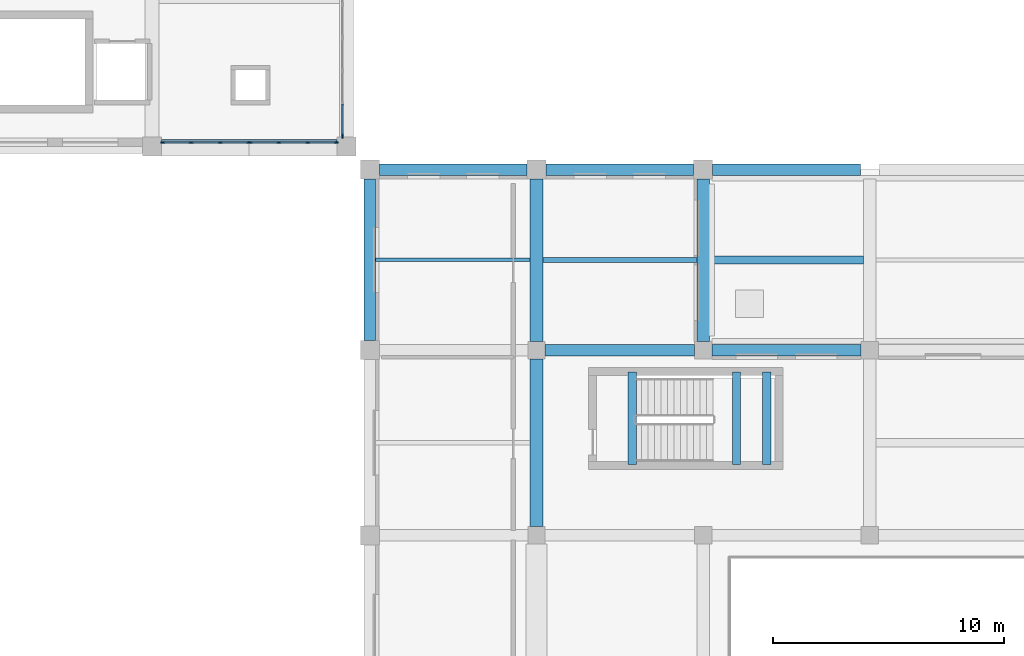
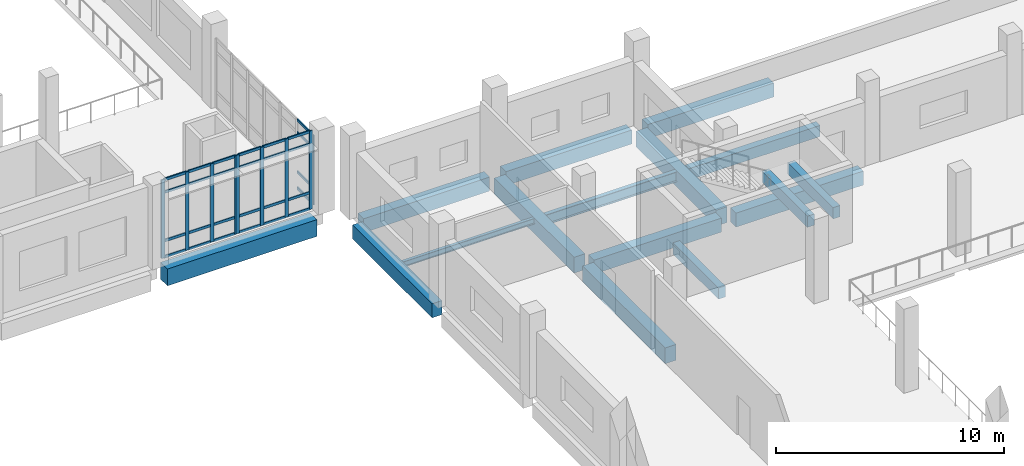
# One storey, part 14 of 54: 37 members, 16 beams, 3 elements without a shape of their own.
"""IFC4 building model written with IfcOpenShell, lengths in metres."""

from ifc_helpers import new_model, si_unit, direction, frame, origin, origin_2d, place, context, subcontext, project, spatial, rectangle, i_section, extrude, material, layer, layer_set, material_profile, profile_set, type_object, element, aggregate, save


model = new_model("IFC4")

# Units and contexts
model_context = context("Model", 3, precision=1e-05, world=origin(), true_north=direction((0.0, 1.0)))
body_context = subcontext(model_context, "Body", "Model", "MODEL_VIEW")
ifc_project = project(units=[si_unit("LENGTHUNIT", "METRE"), si_unit("AREAUNIT", "SQUARE_METRE"), si_unit("VOLUMEUNIT", "CUBIC_METRE"), si_unit("PLANEANGLEUNIT", "RADIAN"), si_unit("MASSUNIT", "GRAM", prefix="KILO")], contexts=[model_context])

# Site, building, storey
site_placement = place(None, origin())
site = spatial("IfcSite", under=ifc_project, at=site_placement, CompositionType="ELEMENT")
building_placement = place(site_placement, origin())
building = spatial("IfcBuilding", under=site, at=building_placement, Name="Kelarvand Opera House", CompositionType="ELEMENT")
storey_placement = place(building_placement, frame((0.0, 0.0, 15.0)))
storey = spatial("IfcBuildingStorey", under=building, at=storey_placement, Name="L03", CompositionType="ELEMENT", Elevation=15.0)

# Curtain wall, member
ifc_material_1 = material(Name="Thermally broken aluminium and low-E glazing", Category="aluminium")
ifc_layer_1 = layer(ifc_material_1, 0.179931640625, Name="Thermally broken aluminium and low-E glazing", Category="aluminium")
ifc_layer_set_1 = layer_set([ifc_layer_1], Name="Thermally broken aluminium and low-E glazing")
curtain_wall_type_1 = type_object("IfcCurtainWallType", Name="Unitised Low-E Curtain Wall 4276x3717 Mod 1350 CWF-21", PredefinedType="USERDEFINED", material=ifc_layer_set_1)
curtain_wall_1_placement = place(storey_placement, origin())
curtain_wall_1 = element("IfcCurtainWall", 1, at=curtain_wall_1_placement, inside=storey, type_object=curtain_wall_type_1, Name="V3 L03 Curtain Wall CWF-21 (90)", ObjectType="UNITISED CURTAIN WALL", PredefinedType="USERDEFINED")
ifc_material_2 = material(Name="Thermally broken anodised aluminium", Category="aluminium")
ifc_material_profile_1 = material_profile(ifc_material_2, rectangle(XDim=0.06494140625, YDim=0.179931640625, at=origin_2d()), Name="ALU MULLION 65x180", Category="aluminium")
ifc_profile_set_1 = profile_set([ifc_material_profile_1], Name="Thermally broken anodised aluminium")
member_type_1 = type_object("IfcMemberType", Name="Curtain Wall Mullion 65x180 Aluminium", PredefinedType="MULLION", material=ifc_profile_set_1)
member_1_placement = place(storey_placement, frame((50.820068359375, 87.652587890625, 0.0), z_axis=(0.0, 0.0, 1.0), x_axis=(1.0, 0.0, 0.0)))
member_1 = element("IfcMember", 2, at=member_1_placement, type_object=member_type_1, Name="CWF-21 mullion 4", PredefinedType="MULLION", context=body_context, shape_type="SweptSolid", body=[
    extrude(rectangle(XDim=0.06494140625, YDim=0.179931640625, at=origin_2d()), origin(), (0.0, 0.0, 1.0), 3.71728515625),
])

# Curtain wall, members
ifc_layer_2 = layer(ifc_material_1, 0.179931640625, Name="Thermally broken aluminium and low-E glazing", Category="aluminium")
ifc_layer_set_2 = layer_set([ifc_layer_2], Name="Thermally broken aluminium and low-E glazing")
curtain_wall_type_2 = type_object("IfcCurtainWallType", Name="Unitised Low-E Curtain Wall 3776x4200 Mod 1350 CWF-14", PredefinedType="USERDEFINED", material=ifc_layer_set_2)
curtain_wall_2_placement = place(storey_placement, origin())
curtain_wall_2 = element("IfcCurtainWall", 3, at=curtain_wall_2_placement, inside=storey, type_object=curtain_wall_type_2, Name="V3 L03 Curtain Wall CWF-14 (101)", ObjectType="UNITISED CURTAIN WALL", PredefinedType="USERDEFINED")
member_2_placement = place(storey_placement, frame((50.547607421875, 87.3798828125, 0.0), z_axis=(0.0, 0.0, 1.0), x_axis=(0.0, -1.0, 0.0)))
member_2 = element("IfcMember", 4, at=member_2_placement, type_object=member_type_1, Name="CWF-14 mullion 1", PredefinedType="MULLION", context=body_context, shape_type="SweptSolid", body=[
    extrude(rectangle(XDim=0.06494140625, YDim=0.179931640625, at=origin_2d()), origin(), (0.0, 0.0, 1.0), 4.199951171875),
])
member_3_placement = place(storey_placement, frame((49.3212890625, 87.3798828125, 0.0), z_axis=(0.0, 0.0, 1.0), x_axis=(0.0, -1.0, 0.0)))
member_3 = element("IfcMember", 5, at=member_3_placement, type_object=member_type_1, Name="CWF-14 mullion 2", PredefinedType="MULLION", context=body_context, shape_type="SweptSolid", body=[
    extrude(rectangle(XDim=0.06494140625, YDim=0.179931640625, at=origin_2d()), origin(), (0.0, 0.0, 1.0), 4.199951171875),
])
member_4_placement = place(storey_placement, frame((48.062744140625, 87.3798828125, 0.0), z_axis=(0.0, 0.0, 1.0), x_axis=(0.0, -1.0, 0.0)))
member_4 = element("IfcMember", 6, at=member_4_placement, type_object=member_type_1, Name="CWF-14 mullion 3", PredefinedType="MULLION", context=body_context, shape_type="SweptSolid", body=[
    extrude(rectangle(XDim=0.06494140625, YDim=0.179931640625, at=origin_2d()), origin(), (0.0, 0.0, 1.0), 4.199951171875),
])
member_5_placement = place(storey_placement, frame((46.83642578125, 87.3798828125, 0.0), z_axis=(0.0, 0.0, 1.0), x_axis=(0.0, -1.0, 0.0)))
member_5 = element("IfcMember", 7, at=member_5_placement, type_object=member_type_1, Name="CWF-14 mullion 4", PredefinedType="MULLION", context=body_context, shape_type="SweptSolid", body=[
    extrude(rectangle(XDim=0.06494140625, YDim=0.179931640625, at=origin_2d()), origin(), (0.0, 0.0, 1.0), 4.199951171875),
])

curtain_wall_3_placement = place(storey_placement, origin())
curtain_wall_3 = element("IfcCurtainWall", 8, at=curtain_wall_3_placement, inside=storey, type_object=curtain_wall_type_2, Name="V3 L03 Curtain Wall CWF-14 (102)", ObjectType="UNITISED CURTAIN WALL", PredefinedType="USERDEFINED")
member_6_placement = place(storey_placement, frame((46.767578125, 87.3798828125, 0.0), z_axis=(0.0, 0.0, 1.0), x_axis=(0.0, -1.0, 0.0)))
member_6 = element("IfcMember", 9, at=member_6_placement, type_object=member_type_1, Name="CWF-14 mullion 1", PredefinedType="MULLION", context=body_context, shape_type="SweptSolid", body=[
    extrude(rectangle(XDim=0.06494140625, YDim=0.179931640625, at=origin_2d()), origin(), (0.0, 0.0, 1.0), 4.199951171875),
])
member_7_placement = place(storey_placement, frame((45.5400390625, 87.3798828125, 0.0), z_axis=(0.0, 0.0, 1.0), x_axis=(0.0, -1.0, 0.0)))
member_7 = element("IfcMember", 10, at=member_7_placement, type_object=member_type_1, Name="CWF-14 mullion 2", PredefinedType="MULLION", context=body_context, shape_type="SweptSolid", body=[
    extrude(rectangle(XDim=0.06494140625, YDim=0.179931640625, at=origin_2d()), origin(), (0.0, 0.0, 1.0), 4.199951171875),
])
member_8_placement = place(storey_placement, frame((44.280029296875, 87.3798828125, 0.0), z_axis=(0.0, 0.0, 1.0), x_axis=(0.0, -1.0, 0.0)))
member_8 = element("IfcMember", 11, at=member_8_placement, type_object=member_type_1, Name="CWF-14 mullion 3", PredefinedType="MULLION", context=body_context, shape_type="SweptSolid", body=[
    extrude(rectangle(XDim=0.06494140625, YDim=0.179931640625, at=origin_2d()), origin(), (0.0, 0.0, 1.0), 4.199951171875),
])
member_9_placement = place(storey_placement, frame((43.052490234375, 87.3798828125, 0.0), z_axis=(0.0, 0.0, 1.0), x_axis=(0.0, -1.0, 0.0)))
member_9 = element("IfcMember", 12, at=member_9_placement, type_object=member_type_1, Name="CWF-14 mullion 4", PredefinedType="MULLION", context=body_context, shape_type="SweptSolid", body=[
    extrude(rectangle(XDim=0.06494140625, YDim=0.179931640625, at=origin_2d()), origin(), (0.0, 0.0, 1.0), 4.199951171875),
])

# Member
ifc_material_profile_2 = material_profile(ifc_material_2, rectangle(XDim=0.06494140625, YDim=0.139892578125, at=origin_2d()), Name="ALU TRANSOM 65x140", Category="aluminium")
ifc_profile_set_2 = profile_set([ifc_material_profile_2], Name="Thermally broken anodised aluminium")
member_type_2 = type_object("IfcMemberType", Name="Curtain Wall Transom 65x140 Aluminium", PredefinedType="USERDEFINED", material=ifc_profile_set_2)
member_10_placement = place(storey_placement, frame((50.820068359375, 89.01416015625, 0.032470703125), z_axis=(0.0, -1.0, 0.0), x_axis=(1.0, 0.0, 0.0)))
member_10 = element("IfcMember", 13, at=member_10_placement, type_object=member_type_2, Name="CWF-21 transom 3.1", ObjectType="TRANSOM", PredefinedType="USERDEFINED", context=body_context, shape_type="SweptSolid", body=[
    extrude(rectangle(XDim=0.06494140625, YDim=0.139892578125, at=origin_2d()), origin(), (0.0, 0.0, 1.0), 1.3291015625),
])

member_11_placement = place(storey_placement, frame((50.820068359375, 89.01416015625, 0.89990234375), z_axis=(0.0, -1.0, 0.0), x_axis=(1.0, 0.0, 0.0)))
member_11 = element("IfcMember", 14, at=member_11_placement, type_object=member_type_2, Name="CWF-21 transom 3.2", ObjectType="TRANSOM", PredefinedType="USERDEFINED", context=body_context, shape_type="SweptSolid", body=[
    extrude(rectangle(XDim=0.06494140625, YDim=0.139892578125, at=origin_2d()), origin(), (0.0, 0.0, 1.0), 1.3291015625),
])

member_12_placement = place(storey_placement, frame((50.820068359375, 89.01416015625, 3.01708984375), z_axis=(0.0, -1.0, 0.0), x_axis=(1.0, 0.0, 0.0)))
member_12 = element("IfcMember", 15, at=member_12_placement, type_object=member_type_2, Name="CWF-21 transom 3.3", ObjectType="TRANSOM", PredefinedType="USERDEFINED", context=body_context, shape_type="SweptSolid", body=[
    extrude(rectangle(XDim=0.06494140625, YDim=0.139892578125, at=origin_2d()), origin(), (0.0, 0.0, 1.0), 1.3291015625),
])

member_13_placement = place(storey_placement, frame((50.820068359375, 89.01416015625, 3.684814453125), z_axis=(0.0, -1.0, 0.0), x_axis=(1.0, 0.0, 0.0)))
member_13 = element("IfcMember", 16, at=member_13_placement, type_object=member_type_2, Name="CWF-21 transom 3.4", ObjectType="TRANSOM", PredefinedType="USERDEFINED", context=body_context, shape_type="SweptSolid", body=[
    extrude(rectangle(XDim=0.06494140625, YDim=0.139892578125, at=origin_2d()), origin(), (0.0, 0.0, 1.0), 1.3291015625),
])

aggregate(curtain_wall_1, [member_1, member_10, member_11, member_12, member_13])

member_14_placement = place(storey_placement, frame((50.514892578125, 87.3798828125, 0.032470703125), z_axis=(-1.0, 0.0, 0.0), x_axis=(0.0, -1.0, 0.0)))
member_14 = element("IfcMember", 17, at=member_14_placement, type_object=member_type_2, Name="CWF-14 transom 1.1", ObjectType="TRANSOM", PredefinedType="USERDEFINED", context=body_context, shape_type="SweptSolid", body=[
    extrude(rectangle(XDim=0.06494140625, YDim=0.139892578125, at=origin_2d()), origin(), (0.0, 0.0, 1.0), 1.1611328125),
])

member_15_placement = place(storey_placement, frame((50.514892578125, 87.3798828125, 0.89990234375), z_axis=(-1.0, 0.0, 0.0), x_axis=(0.0, -1.0, 0.0)))
member_15 = element("IfcMember", 18, at=member_15_placement, type_object=member_type_2, Name="CWF-14 transom 1.2", ObjectType="TRANSOM", PredefinedType="USERDEFINED", context=body_context, shape_type="SweptSolid", body=[
    extrude(rectangle(XDim=0.06494140625, YDim=0.139892578125, at=origin_2d()), origin(), (0.0, 0.0, 1.0), 1.1611328125),
])

member_16_placement = place(storey_placement, frame((50.514892578125, 87.3798828125, 3.5), z_axis=(-1.0, 0.0, 0.0), x_axis=(0.0, -1.0, 0.0)))
member_16 = element("IfcMember", 19, at=member_16_placement, type_object=member_type_2, Name="CWF-14 transom 1.3", ObjectType="TRANSOM", PredefinedType="USERDEFINED", context=body_context, shape_type="SweptSolid", body=[
    extrude(rectangle(XDim=0.06494140625, YDim=0.139892578125, at=origin_2d()), origin(), (0.0, 0.0, 1.0), 1.1611328125),
])

member_17_placement = place(storey_placement, frame((50.514892578125, 87.3798828125, 4.16748046875), z_axis=(-1.0, 0.0, 0.0), x_axis=(0.0, -1.0, 0.0)))
member_17 = element("IfcMember", 20, at=member_17_placement, type_object=member_type_2, Name="CWF-14 transom 1.4", ObjectType="TRANSOM", PredefinedType="USERDEFINED", context=body_context, shape_type="SweptSolid", body=[
    extrude(rectangle(XDim=0.06494140625, YDim=0.139892578125, at=origin_2d()), origin(), (0.0, 0.0, 1.0), 1.1611328125),
])

member_18_placement = place(storey_placement, frame((49.288818359375, 87.3798828125, 0.032470703125), z_axis=(-1.0, 0.0, 0.0), x_axis=(0.0, -1.0, 0.0)))
member_18 = element("IfcMember", 21, at=member_18_placement, type_object=member_type_2, Name="CWF-14 transom 2.1", ObjectType="TRANSOM", PredefinedType="USERDEFINED", context=body_context, shape_type="SweptSolid", body=[
    extrude(rectangle(XDim=0.06494140625, YDim=0.139892578125, at=origin_2d()), origin(), (0.0, 0.0, 1.0), 1.193603515625),
])

member_19_placement = place(storey_placement, frame((49.288818359375, 87.3798828125, 0.89990234375), z_axis=(-1.0, 0.0, 0.0), x_axis=(0.0, -1.0, 0.0)))
member_19 = element("IfcMember", 22, at=member_19_placement, type_object=member_type_2, Name="CWF-14 transom 2.2", ObjectType="TRANSOM", PredefinedType="USERDEFINED", context=body_context, shape_type="SweptSolid", body=[
    extrude(rectangle(XDim=0.06494140625, YDim=0.139892578125, at=origin_2d()), origin(), (0.0, 0.0, 1.0), 1.193603515625),
])

member_20_placement = place(storey_placement, frame((49.288818359375, 87.3798828125, 3.5), z_axis=(-1.0, 0.0, 0.0), x_axis=(0.0, -1.0, 0.0)))
member_20 = element("IfcMember", 23, at=member_20_placement, type_object=member_type_2, Name="CWF-14 transom 2.3", ObjectType="TRANSOM", PredefinedType="USERDEFINED", context=body_context, shape_type="SweptSolid", body=[
    extrude(rectangle(XDim=0.06494140625, YDim=0.139892578125, at=origin_2d()), origin(), (0.0, 0.0, 1.0), 1.193603515625),
])

member_21_placement = place(storey_placement, frame((49.288818359375, 87.3798828125, 4.16748046875), z_axis=(-1.0, 0.0, 0.0), x_axis=(0.0, -1.0, 0.0)))
member_21 = element("IfcMember", 24, at=member_21_placement, type_object=member_type_2, Name="CWF-14 transom 2.4", ObjectType="TRANSOM", PredefinedType="USERDEFINED", context=body_context, shape_type="SweptSolid", body=[
    extrude(rectangle(XDim=0.06494140625, YDim=0.139892578125, at=origin_2d()), origin(), (0.0, 0.0, 1.0), 1.193603515625),
])

member_22_placement = place(storey_placement, frame((48.0302734375, 87.3798828125, 0.032470703125), z_axis=(-1.0, 0.0, 0.0), x_axis=(0.0, -1.0, 0.0)))
member_22 = element("IfcMember", 25, at=member_22_placement, type_object=member_type_2, Name="CWF-14 transom 3.1", ObjectType="TRANSOM", PredefinedType="USERDEFINED", context=body_context, shape_type="SweptSolid", body=[
    extrude(rectangle(XDim=0.06494140625, YDim=0.139892578125, at=origin_2d()), origin(), (0.0, 0.0, 1.0), 1.161376953125),
])

member_23_placement = place(storey_placement, frame((48.0302734375, 87.3798828125, 0.89990234375), z_axis=(-1.0, 0.0, 0.0), x_axis=(0.0, -1.0, 0.0)))
member_23 = element("IfcMember", 26, at=member_23_placement, type_object=member_type_2, Name="CWF-14 transom 3.2", ObjectType="TRANSOM", PredefinedType="USERDEFINED", context=body_context, shape_type="SweptSolid", body=[
    extrude(rectangle(XDim=0.06494140625, YDim=0.139892578125, at=origin_2d()), origin(), (0.0, 0.0, 1.0), 1.161376953125),
])

member_24_placement = place(storey_placement, frame((48.0302734375, 87.3798828125, 3.5), z_axis=(-1.0, 0.0, 0.0), x_axis=(0.0, -1.0, 0.0)))
member_24 = element("IfcMember", 27, at=member_24_placement, type_object=member_type_2, Name="CWF-14 transom 3.3", ObjectType="TRANSOM", PredefinedType="USERDEFINED", context=body_context, shape_type="SweptSolid", body=[
    extrude(rectangle(XDim=0.06494140625, YDim=0.139892578125, at=origin_2d()), origin(), (0.0, 0.0, 1.0), 1.161376953125),
])

member_25_placement = place(storey_placement, frame((48.0302734375, 87.3798828125, 4.16748046875), z_axis=(-1.0, 0.0, 0.0), x_axis=(0.0, -1.0, 0.0)))
member_25 = element("IfcMember", 28, at=member_25_placement, type_object=member_type_2, Name="CWF-14 transom 3.4", ObjectType="TRANSOM", PredefinedType="USERDEFINED", context=body_context, shape_type="SweptSolid", body=[
    extrude(rectangle(XDim=0.06494140625, YDim=0.139892578125, at=origin_2d()), origin(), (0.0, 0.0, 1.0), 1.161376953125),
])

aggregate(curtain_wall_2, [member_2, member_3, member_4, member_5, member_14, member_15, member_16, member_17, member_18, member_19, member_20, member_21, member_22, member_23, member_24, member_25])

member_26_placement = place(storey_placement, frame((46.735107421875, 87.3798828125, 0.032470703125), z_axis=(-1.0, 0.0, 0.0), x_axis=(0.0, -1.0, 0.0)))
member_26 = element("IfcMember", 29, at=member_26_placement, type_object=member_type_2, Name="CWF-14 transom 1.1", ObjectType="TRANSOM", PredefinedType="USERDEFINED", context=body_context, shape_type="SweptSolid", body=[
    extrude(rectangle(XDim=0.06494140625, YDim=0.139892578125, at=origin_2d()), origin(), (0.0, 0.0, 1.0), 1.16259765625),
])

member_27_placement = place(storey_placement, frame((46.735107421875, 87.3798828125, 0.89990234375), z_axis=(-1.0, 0.0, 0.0), x_axis=(0.0, -1.0, 0.0)))
member_27 = element("IfcMember", 30, at=member_27_placement, type_object=member_type_2, Name="CWF-14 transom 1.2", ObjectType="TRANSOM", PredefinedType="USERDEFINED", context=body_context, shape_type="SweptSolid", body=[
    extrude(rectangle(XDim=0.06494140625, YDim=0.139892578125, at=origin_2d()), origin(), (0.0, 0.0, 1.0), 1.16259765625),
])

member_28_placement = place(storey_placement, frame((46.735107421875, 87.3798828125, 3.5), z_axis=(-1.0, 0.0, 0.0), x_axis=(0.0, -1.0, 0.0)))
member_28 = element("IfcMember", 31, at=member_28_placement, type_object=member_type_2, Name="CWF-14 transom 1.3", ObjectType="TRANSOM", PredefinedType="USERDEFINED", context=body_context, shape_type="SweptSolid", body=[
    extrude(rectangle(XDim=0.06494140625, YDim=0.139892578125, at=origin_2d()), origin(), (0.0, 0.0, 1.0), 1.16259765625),
])

member_29_placement = place(storey_placement, frame((46.735107421875, 87.3798828125, 4.16748046875), z_axis=(-1.0, 0.0, 0.0), x_axis=(0.0, -1.0, 0.0)))
member_29 = element("IfcMember", 32, at=member_29_placement, type_object=member_type_2, Name="CWF-14 transom 1.4", ObjectType="TRANSOM", PredefinedType="USERDEFINED", context=body_context, shape_type="SweptSolid", body=[
    extrude(rectangle(XDim=0.06494140625, YDim=0.139892578125, at=origin_2d()), origin(), (0.0, 0.0, 1.0), 1.16259765625),
])

member_30_placement = place(storey_placement, frame((45.507568359375, 87.3798828125, 0.032470703125), z_axis=(-1.0, 0.0, 0.0), x_axis=(0.0, -1.0, 0.0)))
member_30 = element("IfcMember", 33, at=member_30_placement, type_object=member_type_2, Name="CWF-14 transom 2.1", ObjectType="TRANSOM", PredefinedType="USERDEFINED", context=body_context, shape_type="SweptSolid", body=[
    extrude(rectangle(XDim=0.06494140625, YDim=0.139892578125, at=origin_2d()), origin(), (0.0, 0.0, 1.0), 1.195068359375),
])

member_31_placement = place(storey_placement, frame((45.507568359375, 87.3798828125, 0.89990234375), z_axis=(-1.0, 0.0, 0.0), x_axis=(0.0, -1.0, 0.0)))
member_31 = element("IfcMember", 34, at=member_31_placement, type_object=member_type_2, Name="CWF-14 transom 2.2", ObjectType="TRANSOM", PredefinedType="USERDEFINED", context=body_context, shape_type="SweptSolid", body=[
    extrude(rectangle(XDim=0.06494140625, YDim=0.139892578125, at=origin_2d()), origin(), (0.0, 0.0, 1.0), 1.195068359375),
])

member_32_placement = place(storey_placement, frame((45.507568359375, 87.3798828125, 3.5), z_axis=(-1.0, 0.0, 0.0), x_axis=(0.0, -1.0, 0.0)))
member_32 = element("IfcMember", 35, at=member_32_placement, type_object=member_type_2, Name="CWF-14 transom 2.3", ObjectType="TRANSOM", PredefinedType="USERDEFINED", context=body_context, shape_type="SweptSolid", body=[
    extrude(rectangle(XDim=0.06494140625, YDim=0.139892578125, at=origin_2d()), origin(), (0.0, 0.0, 1.0), 1.195068359375),
])

member_33_placement = place(storey_placement, frame((45.507568359375, 87.3798828125, 4.16748046875), z_axis=(-1.0, 0.0, 0.0), x_axis=(0.0, -1.0, 0.0)))
member_33 = element("IfcMember", 36, at=member_33_placement, type_object=member_type_2, Name="CWF-14 transom 2.4", ObjectType="TRANSOM", PredefinedType="USERDEFINED", context=body_context, shape_type="SweptSolid", body=[
    extrude(rectangle(XDim=0.06494140625, YDim=0.139892578125, at=origin_2d()), origin(), (0.0, 0.0, 1.0), 1.195068359375),
])

member_34_placement = place(storey_placement, frame((44.24755859375, 87.3798828125, 0.032470703125), z_axis=(-1.0, 0.0, 0.0), x_axis=(0.0, -1.0, 0.0)))
member_34 = element("IfcMember", 37, at=member_34_placement, type_object=member_type_2, Name="CWF-14 transom 3.1", ObjectType="TRANSOM", PredefinedType="USERDEFINED", context=body_context, shape_type="SweptSolid", body=[
    extrude(rectangle(XDim=0.06494140625, YDim=0.139892578125, at=origin_2d()), origin(), (0.0, 0.0, 1.0), 1.16259765625),
])

member_35_placement = place(storey_placement, frame((44.24755859375, 87.3798828125, 0.89990234375), z_axis=(-1.0, 0.0, 0.0), x_axis=(0.0, -1.0, 0.0)))
member_35 = element("IfcMember", 38, at=member_35_placement, type_object=member_type_2, Name="CWF-14 transom 3.2", ObjectType="TRANSOM", PredefinedType="USERDEFINED", context=body_context, shape_type="SweptSolid", body=[
    extrude(rectangle(XDim=0.06494140625, YDim=0.139892578125, at=origin_2d()), origin(), (0.0, 0.0, 1.0), 1.16259765625),
])

member_36_placement = place(storey_placement, frame((44.24755859375, 87.3798828125, 3.5), z_axis=(-1.0, 0.0, 0.0), x_axis=(0.0, -1.0, 0.0)))
member_36 = element("IfcMember", 39, at=member_36_placement, type_object=member_type_2, Name="CWF-14 transom 3.3", ObjectType="TRANSOM", PredefinedType="USERDEFINED", context=body_context, shape_type="SweptSolid", body=[
    extrude(rectangle(XDim=0.06494140625, YDim=0.139892578125, at=origin_2d()), origin(), (0.0, 0.0, 1.0), 1.16259765625),
])

member_37_placement = place(storey_placement, frame((44.24755859375, 87.3798828125, 4.16748046875), z_axis=(-1.0, 0.0, 0.0), x_axis=(0.0, -1.0, 0.0)))
member_37 = element("IfcMember", 40, at=member_37_placement, type_object=member_type_2, Name="CWF-14 transom 3.4", ObjectType="TRANSOM", PredefinedType="USERDEFINED", context=body_context, shape_type="SweptSolid", body=[
    extrude(rectangle(XDim=0.06494140625, YDim=0.139892578125, at=origin_2d()), origin(), (0.0, 0.0, 1.0), 1.16259765625),
])

aggregate(curtain_wall_3, [member_6, member_7, member_8, member_9, member_26, member_27, member_28, member_29, member_30, member_31, member_32, member_33, member_34, member_35, member_36, member_37])

# Beams
ifc_material_3 = material(Name="Concrete C35/45", Category="concrete")
ifc_material_profile_3 = material_profile(ifc_material_3, rectangle(XDim=0.35009765625, YDim=0.60009765625, at=origin_2d()), Name="RC 350x600", Category="concrete")
ifc_profile_set_3 = profile_set([ifc_material_profile_3], Name="Concrete C35/45")
beam_type_1 = type_object("IfcBeamType", Name="Structural Beam RC 350x600 BM-RC350x600", PredefinedType="BEAM", material=ifc_profile_set_3)
beam_1_placement = place(storey_placement, frame((66.675048828125, 82.300048828125, -0.6201171875), z_axis=(1.0, 0.0, 0.0), x_axis=(0.0, 1.0, 0.0)))
element("IfcBeam", 41, at=beam_1_placement, inside=storey, type_object=beam_type_1, Name="V2 L03 Beam BM-RC350x600", PredefinedType="BEAM", context=body_context, shape_type="SweptSolid", body=[
    extrude(rectangle(XDim=0.35009765625, YDim=0.60009765625, at=origin_2d()), origin(), (0.0, 0.0, 1.0), 6.64990234375),
])
for number, where, z_axis, x_axis, name in (
    (42, (63.340087890625, 73.449951171875, -0.52001953125), (0.0, 1.0, 0.0), (-1.0, 0.0, 0.0), "C3 Stair Landing Support Beam L03"),
    (43, (67.85009765625, 73.449951171875, 1.75), (0.0, 1.0, 0.0), (-1.0, 0.0, 0.0), "C3 Stair Half-Landing Beam 1 L03"),
    (44, (69.14990234375, 73.449951171875, 1.75), (0.0, 1.0, 0.0), (-1.0, 0.0, 0.0), "C3 Stair Half-Landing Beam 2 L03"),
):
    element("IfcBeam", number, at=place(storey_placement, frame(where, z_axis=z_axis, x_axis=x_axis)), inside=storey, type_object=beam_type_1, Name=name, PredefinedType="BEAM", context=body_context, shape_type="SweptSolid", body=[
        extrude(rectangle(XDim=0.35009765625, YDim=0.60009765625, at=origin_2d()), origin(), (0.0, 0.0, 1.0), 4.0),
    ])
ifc_material_4 = material(Name="Concrete C40/50", Category="concrete")
ifc_material_profile_4 = material_profile(ifc_material_4, rectangle(XDim=0.5, YDim=0.75, at=origin_2d()), Name="RC 500x750", Category="concrete")
ifc_profile_set_4 = profile_set([ifc_material_profile_4], Name="Concrete C40/50")
beam_type_2 = type_object("IfcBeamType", Name="Structural Beam RC 500x750 BM-RC500x750", PredefinedType="BEAM", material=ifc_profile_set_4)
beam_2_placement = place(storey_placement, frame((59.574951171875, 78.39990234375, -0.695068359375), z_axis=(1.0, 0.0, 0.0), x_axis=(0.0, 1.0, 0.0)))
element("IfcBeam", 45, at=beam_2_placement, inside=storey, type_object=beam_type_2, Name="V2 L03 Beam BM-RC500x750", PredefinedType="BEAM", context=body_context, shape_type="SweptSolid", body=[
    extrude(rectangle(XDim=0.5, YDim=0.75, at=origin_2d()), origin(), (0.0, 0.0, 1.0), 6.449951171875),
])
beam_3_placement = place(storey_placement, frame((66.77490234375, 78.39990234375, -0.695068359375), z_axis=(1.0, 0.0, 0.0), x_axis=(0.0, 1.0, 0.0)))
element("IfcBeam", 46, at=beam_3_placement, inside=storey, type_object=beam_type_2, Name="V2 L03 Beam BM-RC500x750", PredefinedType="BEAM", context=body_context, shape_type="SweptSolid", body=[
    extrude(rectangle(XDim=0.5, YDim=0.75, at=origin_2d()), origin(), (0.0, 0.0, 1.0), 6.4501953125),
])
ifc_material_profile_5 = material_profile(ifc_material_4, rectangle(XDim=0.550048828125, YDim=0.85009765625, at=origin_2d()), Name="RC 550x850", Category="concrete")
ifc_profile_set_5 = profile_set([ifc_material_profile_5], Name="Concrete C40/50")
beam_type_3 = type_object("IfcBeamType", Name="Structural Beam RC 550x850 BM-RC550x850", PredefinedType="BEAM", material=ifc_profile_set_5)
beam_4_placement = place(storey_placement, frame((59.199951171875, 70.77490234375, -0.7451171875), z_axis=(0.0, 1.0, 0.0), x_axis=(-1.0, 0.0, 0.0)))
element("IfcBeam", 47, at=beam_4_placement, inside=storey, type_object=beam_type_3, Name="V2 L03 Beam BM-RC550x850", PredefinedType="BEAM", context=body_context, shape_type="SweptSolid", body=[
    extrude(rectangle(XDim=0.550048828125, YDim=0.85009765625, at=origin_2d()), origin(), (0.0, 0.0, 1.0), 7.25),
])
for number, where, z_axis, x_axis, name in (
    (48, (59.199951171875, 78.77490234375, -0.7451171875), (0.0, 1.0, 0.0), (-1.0, 0.0, 0.0), "V2 L03 Beam BM-RC550x850"),
    (49, (66.39990234375, 78.77490234375, -0.7451171875), (0.0, 1.0, 0.0), (-1.0, 0.0, 0.0), "V2 L03 Beam BM-RC550x850"),
):
    element("IfcBeam", number, at=place(storey_placement, frame(where, z_axis=z_axis, x_axis=x_axis)), inside=storey, type_object=beam_type_3, Name=name, PredefinedType="BEAM", context=body_context, shape_type="SweptSolid", body=[
        extrude(rectangle(XDim=0.550048828125, YDim=0.85009765625, at=origin_2d()), origin(), (0.0, 0.0, 1.0), 7.01513671875),
    ])
ifc_material_5 = material(Name="Steel S355", Category="steel")
ifc_material_profile_6 = material_profile(ifc_material_5, i_section(OverallWidth=0.14990234375, OverallDepth=0.300048828125, WebThickness=0.007080078125, FlangeThickness=0.0107421875, at=origin_2d()), Name="IPE 300", Category="steel")
ifc_profile_set_6 = profile_set([ifc_material_profile_6], Name="Steel S355")
beam_type_4 = type_object("IfcBeamType", Name="Structural Joist IPE 300 JS-IPE300", PredefinedType="JOIST", material=ifc_profile_set_6)
beam_5_placement = place(storey_placement, frame((52.25, 82.300048828125, -0.469970703125), z_axis=(1.0, 0.0, 0.0), x_axis=(0.0, 1.0, 0.0)))
element("IfcBeam", 50, at=beam_5_placement, inside=storey, type_object=beam_type_4, Name="V2 L03 Beam JS-IPE300", PredefinedType="JOIST", context=body_context, shape_type="SweptSolid", body=[
    extrude(i_section(OverallWidth=0.14990234375, OverallDepth=0.300048828125, WebThickness=0.007080078125, FlangeThickness=0.0107421875, at=origin_2d()), origin(), (0.0, 0.0, 1.0), 6.675048828125),
])
ifc_material_profile_7 = material_profile(ifc_material_5, i_section(OverallWidth=0.2099609375, OverallDepth=0.550048828125, WebThickness=0.010986328125, FlangeThickness=0.01708984375, at=origin_2d()), Name="IPE 550", Category="steel")
ifc_profile_set_7 = profile_set([ifc_material_profile_7], Name="Steel S355")
beam_type_5 = type_object("IfcBeamType", Name="Structural Joist IPE 550 JS-IPE550", PredefinedType="JOIST", material=ifc_profile_set_7)
beam_6_placement = place(storey_placement, frame((59.47509765625, 82.300048828125, -0.594970703125), z_axis=(1.0, 0.0, 0.0), x_axis=(0.0, 1.0, 0.0)))
element("IfcBeam", 51, at=beam_6_placement, inside=storey, type_object=beam_type_5, Name="V2 L03 Beam JS-IPE550", PredefinedType="JOIST", context=body_context, shape_type="SweptSolid", body=[
    extrude(i_section(OverallWidth=0.2099609375, OverallDepth=0.550048828125, WebThickness=0.010986328125, FlangeThickness=0.01708984375, at=origin_2d()), origin(), (0.0, 0.0, 1.0), 6.64990234375),
])
ifc_material_profile_8 = material_profile(ifc_material_4, rectangle(XDim=0.5, YDim=0.75, at=origin_2d()), Name="RC 500x750", Category="concrete")
ifc_profile_set_8 = profile_set([ifc_material_profile_8], Name="Concrete C40/50")
beam_type_6 = type_object("IfcBeamType", Name="Structural Spandrel RC 500x750 SP-RC500x750E", PredefinedType="SPANDREL", material=ifc_profile_set_8)
beam_7_placement = place(storey_placement, frame((52.409912109375, 86.199951171875, -0.695068359375), z_axis=(1.0, 0.0, 0.0), x_axis=(0.0, 1.0, 0.0)))
element("IfcBeam", 52, at=beam_7_placement, inside=storey, type_object=beam_type_6, Name="V2 L03 Beam SP-RC500x750E", PredefinedType="SPANDREL", context=body_context, shape_type="SweptSolid", body=[
    extrude(rectangle(XDim=0.5, YDim=0.75, at=origin_2d()), origin(), (0.0, 0.0, 1.0), 6.380126953125),
])
for number, where, z_axis, x_axis, name in (
    (53, (59.610107421875, 86.199951171875, -0.695068359375), (1.0, 0.0, 0.0), (0.0, 1.0, 0.0), "V2 L03 Beam SP-RC500x750E"),
    (54, (66.81005859375, 86.199951171875, -0.695068359375), (1.0, 0.0, 0.0), (0.0, 1.0, 0.0), "V2 L03 Beam SP-RC500x750E"),
):
    element("IfcBeam", number, at=place(storey_placement, frame(where, z_axis=z_axis, x_axis=x_axis)), inside=storey, type_object=beam_type_6, Name=name, PredefinedType="SPANDREL", context=body_context, shape_type="SweptSolid", body=[
        extrude(rectangle(XDim=0.5, YDim=0.75, at=origin_2d()), origin(), (0.0, 0.0, 1.0), 6.3798828125),
    ])
beam_8_placement = place(storey_placement, frame((52.0, 78.81005859375, -0.695068359375), z_axis=(0.0, 1.0, 0.0), x_axis=(-1.0, 0.0, 0.0)))
element("IfcBeam", 55, at=beam_8_placement, inside=storey, type_object=beam_type_6, Name="V2 L03 Beam SP-RC500x750E", PredefinedType="SPANDREL", context=body_context, shape_type="SweptSolid", body=[
    extrude(rectangle(XDim=0.5, YDim=0.75, at=origin_2d()), origin(), (0.0, 0.0, 1.0), 6.97998046875),
])
ifc_material_profile_9 = material_profile(ifc_material_4, rectangle(XDim=0.60009765625, YDim=0.89990234375, at=origin_2d()), Name="RC 600x900", Category="concrete")
ifc_profile_set_9 = profile_set([ifc_material_profile_9], Name="Concrete C40/50")
beam_type_7 = type_object("IfcBeamType", Name="Structural Spandrel RC 600x900 SP-RC600x900E", PredefinedType="SPANDREL", material=ifc_profile_set_9)
beam_9_placement = place(storey_placement, frame((43.010009765625, 87.199951171875, -0.75), z_axis=(1.0, 0.0, 0.0), x_axis=(0.0, 1.0, 0.0)))
element("IfcBeam", 56, at=beam_9_placement, inside=storey, type_object=beam_type_7, Name="V3 L03 Beam SP-RC600x900E", PredefinedType="SPANDREL", context=body_context, shape_type="SweptSolid", body=[
    extrude(rectangle(XDim=0.60009765625, YDim=0.89990234375, at=origin_2d()), origin(), (0.0, 0.0, 1.0), 7.580078125),
])

save(model, "model.ifc")
